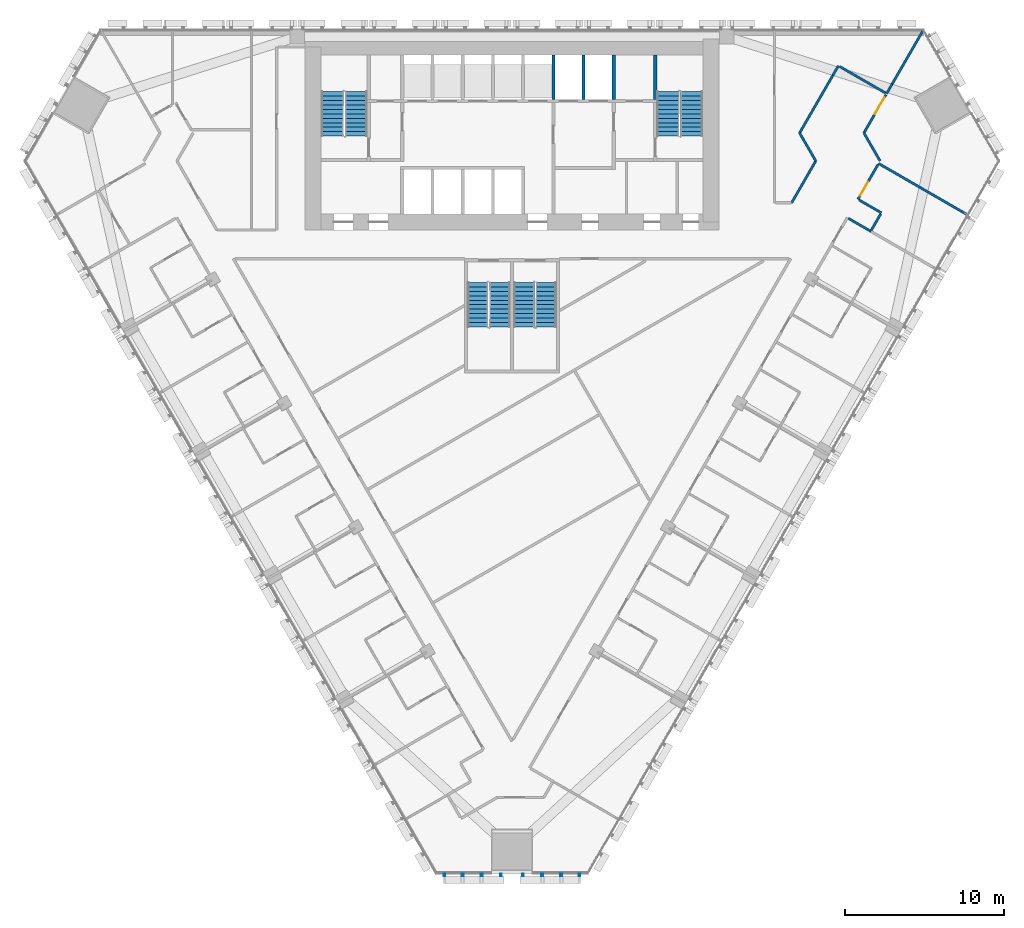
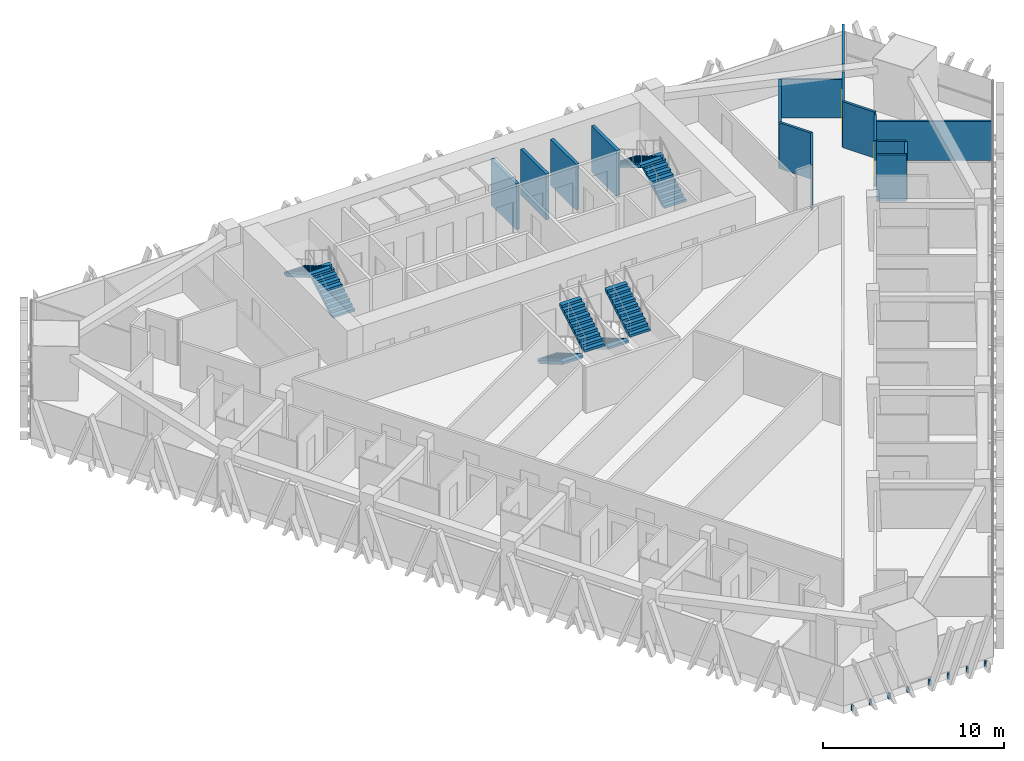
# One storey, part 14 of 18: 18 walls, 8 stair flights, 2 doors, 1 discrete accessory, 2 openings, 4 elements without a shape of their own.
"""IFC4 building model written with IfcOpenShell, lengths in metres."""

import ifcopenshell
import ifcopenshell.guid

model = None  # the IFC model being written
_history = None  # IfcOwnerHistory: only IFC2X3 demands one
_inside = {}  # id of a spatial element -> (the spatial element, [elements in it])
_under = {}  # id of a project, library or spatial element -> (it, [spatial elements below it])
_declared = {}  # id of a project -> (the project, [libraries it declares])
_typed = {}  # id of a type object -> (the type object, [elements of that type])
_made_of = {}  # id of a material, layer set ... -> (it, [elements and type objects made of it])


def new_model(schema):
    """Start an empty IFC model of exactly this schema.

    Asked for "IFC4X3", IfcOpenShell would pick the latest addendum, in which some entities
    have other attributes; the version numbers below select the first issue.
    IFC2X3 requires an IfcOwnerHistory on every rooted entity: one is made here for all.
    """
    global model, _history
    if schema == "IFC4X3":
        model = ifcopenshell.file(schema_version=(4, 3, 0, 0))
    else:
        model = ifcopenshell.file(schema=schema)
    _inside.clear()
    _under.clear()
    _declared.clear()
    _typed.clear()
    _made_of.clear()
    _history = None
    if model.schema == "IFC2X3":
        org = make("IfcOrganization", Name="unknown")
        user = make(
            "IfcPersonAndOrganization",
            ThePerson=make("IfcPerson", FamilyName="unknown"),
            TheOrganization=org,
        )
        app = make(
            "IfcApplication",
            ApplicationDeveloper=org,
            Version="unknown",
            ApplicationFullName="unknown",
            ApplicationIdentifier="unknown",
        )
        _history = make(
            "IfcOwnerHistory",
            OwningUser=user,
            OwningApplication=app,
            ChangeAction="ADDED",
            CreationDate=0,
        )
    return model


def make(cls, **values):
    """One entity of the class cls with the attributes given. An attribute that is None is left unset."""
    return model.create_entity(
        cls, **{name: value for name, value in values.items() if value is not None}
    )


def rooted(cls, **values):
    """An entity with a GlobalId (a new one), such as an element, a storey or a relation."""
    return make(cls, GlobalId=ifcopenshell.guid.new(), OwnerHistory=_history, **values)


def si_unit(unit_type, name, prefix=None):
    """IfcSIUnit, for example si_unit("LENGTHUNIT", "METRE", prefix="MILLI")."""
    return make("IfcSIUnit", UnitType=unit_type, Prefix=prefix, Name=name)


def assignment(units):
    """IfcUnitAssignment: the units of a project."""
    return None if units is None else make("IfcUnitAssignment", Units=units)


def point(xyz):
    """IfcCartesianPoint."""
    return None if xyz is None else make("IfcCartesianPoint", Coordinates=xyz)


def direction(xyz):
    """IfcDirection."""
    return None if xyz is None else make("IfcDirection", DirectionRatios=xyz)


def frame(location, z_axis=None, x_axis=None):
    """IfcAxis2Placement3D, a coordinate frame: its origin and axes. An axis left out is left unset."""
    return make(
        "IfcAxis2Placement3D",
        Location=point(location),
        Axis=direction(z_axis),
        RefDirection=direction(x_axis),
    )


def frame_2d(location, x_axis=None):
    """IfcAxis2Placement2D, a coordinate frame in the plane: its origin and x axis."""
    return make(
        "IfcAxis2Placement2D", Location=point(location), RefDirection=direction(x_axis)
    )


def origin():
    """The frame at (0, 0, 0) with its axes left unset."""
    return frame((0.0, 0.0, 0.0))


def place(relative_to, where):
    """IfcLocalPlacement: puts the frame where relative to a parent placement (None: the world)."""
    return make(
        "IfcLocalPlacement", PlacementRelTo=relative_to, RelativePlacement=where
    )


def context(
    kind, dimensions, precision=None, world=None, true_north=None, identifier=None
):
    """IfcGeometricRepresentationContext, for example the 3D "Model" context."""
    return make(
        "IfcGeometricRepresentationContext",
        ContextIdentifier=identifier,
        ContextType=kind,
        CoordinateSpaceDimension=dimensions,
        Precision=precision,
        WorldCoordinateSystem=world,
        TrueNorth=true_north,
    )


def subcontext(parent, identifier, kind, view, scale=None):
    """IfcGeometricRepresentationSubContext, for example "Body" below "Model"."""
    return make(
        "IfcGeometricRepresentationSubContext",
        ContextIdentifier=identifier,
        ContextType=kind,
        ParentContext=parent,
        TargetScale=scale,
        TargetView=view,
    )


def project(units=None, contexts=None):
    """IfcProject with its units and contexts."""
    return rooted(
        "IfcProject",
        Name="project",
        RepresentationContexts=contexts,
        UnitsInContext=assignment(units),
    )


def spatial(cls, under=None, at=None, **own):
    """A site, building, storey or space (cls), placed at a placement, below another one or the project."""
    s = rooted(cls, ObjectPlacement=at, **own)
    if under is not None:
        _under.setdefault(under.id(), (under, []))[1].append(s)
    return s


def polyline(points):
    """IfcPolyline through the points."""
    return make("IfcPolyline", Points=[point(p) for p in points])


def profile(cls, at=None, kind="AREA", **sizes):
    """A parametric profile (cls). Its sizes go by their IFC names, for example OverallWidth=200.0."""
    return make(cls, ProfileType=kind, Position=at, **sizes)


def rectangle(**sizes):
    """IfcRectangleProfileDef."""
    return profile("IfcRectangleProfileDef", **sizes)


def outline(outer, holes=None, kind="AREA"):
    """IfcArbitraryClosedProfileDef: a profile drawn as a closed curve; with holes, ...WithVoids."""
    if holes is None:
        return make("IfcArbitraryClosedProfileDef", ProfileType=kind, OuterCurve=outer)
    return make(
        "IfcArbitraryProfileDefWithVoids",
        ProfileType=kind,
        OuterCurve=outer,
        InnerCurves=holes,
    )


def extrude(swept, where, along, depth):
    """IfcExtrudedAreaSolid: the profile swept, set in the frame where, extruded along a direction by depth."""
    return make(
        "IfcExtrudedAreaSolid",
        SweptArea=swept,
        Position=where,
        ExtrudedDirection=direction(along),
        Depth=depth,
    )


def shape(context_of_items, identifier, shape_type, items):
    """IfcShapeRepresentation: the items that make up one representation, for example the "Body"."""
    return make(
        "IfcShapeRepresentation",
        ContextOfItems=context_of_items,
        RepresentationIdentifier=identifier,
        RepresentationType=shape_type,
        Items=items,
    )


def source(mapping_origin, context_of_items, identifier, shape_type, items):
    """IfcRepresentationMap: a shape defined once, which mapped items show again and again."""
    return make(
        "IfcRepresentationMap",
        MappingOrigin=mapping_origin,
        MappedRepresentation=shape(context_of_items, identifier, shape_type, items),
    )


def transform(
    local_origin,
    x_axis=None,
    y_axis=None,
    z_axis=None,
    scale=None,
    scale2=None,
    scale3=None,
    uniform=True,
):
    """IfcCartesianTransformationOperator3D, or its non-uniform kind. x_axis, y_axis, z_axis: its Axis1, 2, 3."""
    if uniform:
        return make(
            "IfcCartesianTransformationOperator3D",
            Axis1=direction(x_axis),
            Axis2=direction(y_axis),
            LocalOrigin=point(local_origin),
            Scale=scale,
            Axis3=direction(z_axis),
        )
    return make(
        "IfcCartesianTransformationOperator3DnonUniform",
        Axis1=direction(x_axis),
        Axis2=direction(y_axis),
        LocalOrigin=point(local_origin),
        Scale=scale,
        Axis3=direction(z_axis),
        Scale2=scale2,
        Scale3=scale3,
    )


def mapped(mapping_source, mapping_target):
    """IfcMappedItem: shows the shape of a source again, moved by a transform."""
    return make(
        "IfcMappedItem", MappingSource=mapping_source, MappingTarget=mapping_target
    )


def material(Name=None, Category=None):
    """IfcMaterial."""
    return make("IfcMaterial", Name=Name, Category=Category)


def layer(
    of_material, thickness, ventilated=None, Name=None, Category=None, Priority=None
):
    """IfcMaterialLayer: one layer of a wall or slab, of a material (None: an air gap)."""
    return make(
        "IfcMaterialLayer",
        Material=of_material,
        LayerThickness=thickness,
        IsVentilated=ventilated,
        Name=Name,
        Category=Category,
        Priority=Priority,
    )


def layer_set(layers, Name=None):
    """IfcMaterialLayerSet."""
    return make("IfcMaterialLayerSet", MaterialLayers=layers, LayerSetName=Name)


def made_of(thing, what):
    """Note that an element or type object is made of a material, layer set ...; save() writes the relation."""
    if what is not None:
        _made_of.setdefault(what.id(), (what, []))[1].append(thing)
    return thing


def type_object(cls, material=None, **own):
    """A type object (cls), such as IfcWallType, which elements share."""
    return made_of(rooted(cls, **own), material)


def element(
    cls,
    number,
    at=None,
    inside=None,
    cuts=None,
    type_object=None,
    material=None,
    context=None,
    identifier="Body",
    shape_type=None,
    held_by="IfcProductDefinitionShape",
    body=None,
    shapes=None,
    **own,
):
    """One element of the class cls, such as IfcWall. Its Tag is "e" and its number.

    at: its placement. inside: the storey or other place that contains it. cuts: it is an
    opening in that element (IfcRelVoidsElement). A single representation is given by context,
    identifier, shape_type and body (its items); several are given by shapes. held_by: the class
    of the entity that holds the representations. save() writes the other relations.
    """
    e = rooted(cls, Tag="e%d" % number, ObjectPlacement=at, **own)
    if body is not None:
        shapes = [shape(context, identifier, shape_type, body)]
    if shapes is not None:
        e.Representation = make(held_by, Representations=shapes)
    if inside is not None:
        _inside.setdefault(inside.id(), (inside, []))[1].append(e)
    if cuts is not None:
        rooted(
            "IfcRelVoidsElement", RelatingBuildingElement=cuts, RelatedOpeningElement=e
        )
    if type_object is not None:
        _typed.setdefault(type_object.id(), (type_object, []))[1].append(e)
    return made_of(e, material)


def fill(opening, filler):
    """IfcRelFillsElement: the door or window that sits in an opening."""
    return rooted(
        "IfcRelFillsElement",
        RelatingOpeningElement=opening,
        RelatedBuildingElement=filler,
    )


def aggregate(whole, parts):
    """IfcRelAggregates: a whole, such as a stair, and the parts it consists of."""
    return rooted("IfcRelAggregates", RelatingObject=whole, RelatedObjects=parts)


def save(model, path):
    """Write the relations noted so far, then the file.

    IfcRelAggregates (storeys below a building ...), IfcRelContainedInSpatialStructure (elements
    in a storey), IfcRelDefinesByType, IfcRelAssociatesMaterial and IfcRelDeclares: one each for
    every whole, place, type object, material and project.
    """
    for whole, parts in _under.values():
        aggregate(whole, parts)
    for where, things in _inside.values():
        rooted(
            "IfcRelContainedInSpatialStructure",
            RelatedElements=things,
            RelatingStructure=where,
        )
    for kind, things in _typed.values():
        rooted("IfcRelDefinesByType", RelatedObjects=things, RelatingType=kind)
    for what, things in _made_of.values():
        rooted("IfcRelAssociatesMaterial", RelatedObjects=things, RelatingMaterial=what)
    for by, libraries in _declared.values():
        rooted("IfcRelDeclares", RelatingContext=by, RelatedDefinitions=libraries)
    model.write(path)


model = new_model("IFC4")

# Units and contexts
model_context = context("Model", 3, precision=1e-05, world=origin(), true_north=direction((0.0, 1.0)))
body_context = subcontext(model_context, "Body", "Model", "MODEL_VIEW")
ifc_project = project(units=[si_unit("LENGTHUNIT", "METRE"), si_unit("AREAUNIT", "SQUARE_METRE"), si_unit("VOLUMEUNIT", "CUBIC_METRE"), si_unit("PLANEANGLEUNIT", "RADIAN"), si_unit("MASSUNIT", "GRAM", prefix="KILO")], contexts=[model_context])

# Site, building, storey
site_placement = place(None, origin())
site = spatial("IfcSite", under=ifc_project, at=site_placement, CompositionType="ELEMENT")
building_placement = place(site_placement, origin())
building = spatial("IfcBuilding", under=site, at=building_placement, Name="Altiplano Prism Tower", CompositionType="ELEMENT")
storey_placement = place(building_placement, frame((0.0, 0.0, 48.60009765625)))
storey = spatial("IfcBuildingStorey", under=building, at=storey_placement, Name="L11", CompositionType="ELEMENT", Elevation=48.60009765625)

# Walls
ifc_material_1 = material(Name="Plasterboard on steel stud", Category="steel")
ifc_layer_1 = layer(ifc_material_1, 0.14990234375)
ifc_layer_set_1 = layer_set([ifc_layer_1], Name="Plasterboard on steel stud")
wall_type_1 = type_object("IfcWallType", Name="Partition 150 corridor", PredefinedType="PARTITIONING", material=ifc_layer_set_1)
wall_1_placement = place(storey_placement, frame((106.142333984375, 93.13232421875, 0.0), z_axis=(0.0, 0.0, 1.0), x_axis=(0.866015045157, -0.50001794124, 0.0)))
element("IfcWall", 1, at=wall_1_placement, inside=storey, type_object=wall_type_1, Name="Partition P06 L11 027", PredefinedType="PARTITIONING", context=body_context, shape_type="SweptSolid", body=[
    extrude(rectangle(XDim=1.64501953125, YDim=0.14990234375, at=frame_2d((0.822509765625, 0.0))), origin(), (0.0, 0.0, 1.0), 3.099853515625),
])
wall_2_placement = place(storey_placement, frame((107.587158203125, 92.384765625, 0.0), z_axis=(0.0, 0.0, 1.0), x_axis=(0.500030943131, 0.866007538022, 0.0)))
element("IfcWall", 2, at=wall_2_placement, inside=storey, type_object=wall_type_1, Name="Partition P06 L11 028", PredefinedType="PARTITIONING", context=body_context, shape_type="SweptSolid", body=[
    extrude(rectangle(XDim=1.1875, YDim=0.14990234375, at=frame_2d((0.59375, 0.0))), origin(), (0.0, 0.0, 1.0), 3.099853515625),
])
wall_3_placement = place(storey_placement, frame((108.218505859375, 93.47802734375, 0.0), z_axis=(0.0, 0.0, 1.0), x_axis=(-0.866053003207, 0.499952193351, 0.0)))
element("IfcWall", 3, at=wall_3_placement, inside=storey, type_object=wall_type_1, Name="Partition P06 L11 029", PredefinedType="PARTITIONING", context=body_context, shape_type="SweptSolid", body=[
    extrude(rectangle(XDim=1.625244140625, YDim=0.14990234375, at=frame_2d((0.8125, 0.0))), origin(), (0.0, 0.0, 1.0), 3.099853515625),
])

# Wall, opening, door
wall_4_placement = place(storey_placement, frame((106.74609375, 94.328125, 0.0), z_axis=(0.0, 0.0, 1.0), x_axis=(0.500090717682, 0.865973021571, 0.0)))
wall_4 = element("IfcWall", 4, at=wall_4_placement, inside=storey, type_object=wall_type_1, Name="Partition P06 L11 030", PredefinedType="PARTITIONING", context=body_context, shape_type="SweptSolid", body=[
    extrude(rectangle(XDim=2.52490234375, YDim=0.14990234375, at=frame_2d((1.262451171875, 0.0))), origin(), (0.0, 0.0, 1.0), 3.099853515625),
])
opening_1_placement = place(wall_4_placement, frame((0.258056640625, 0.0, 0.0)))
opening_1 = element("IfcOpeningElement", 5, at=opening_1_placement, cuts=wall_4, Name="Opening D0461", PredefinedType="OPENING", context=body_context, shape_type="SweptSolid", body=[
    extrude(rectangle(XDim=1.0, YDim=2.10009765625, at=frame_2d((0.5, 1.050048828125))), frame((0.0, 0.08544921875, 0.0), z_axis=(0.0, -1.0, 0.0), x_axis=(1.0, 0.0, 0.0)), (0.0, 0.0, 1.0), 0.1708984375),
])
ifc_material_2 = material(Name="Timber", Category="wood")
door_type_1 = type_object("IfcDoorType", Name="Room door 1000 x 2100", OperationType="NOTDEFINED", PredefinedType="NOTDEFINED", material=ifc_material_2)
door_1_placement = place(opening_1_placement, origin())
door_1 = element("IfcDoor", 6, at=door_1_placement, inside=storey, type_object=door_type_1, Name="Door D0461", OperationType="SINGLE_SWING_LEFT", OverallHeight=2.10009765625, OverallWidth=1.0, PredefinedType="NOTDEFINED", context=body_context, shape_type="SweptSolid", body=[
    extrude(rectangle(XDim=1.0, YDim=2.10009765625, at=frame_2d((0.5, 1.050048828125))), frame((0.0, 0.02490234375, 0.0), z_axis=(0.0, -1.0, 0.0), x_axis=(1.0, 0.0, 0.0)), (0.0, 0.0, 1.0), 0.050048828125),
])
fill(opening_1, door_1)

# Wall
wall_5_placement = place(storey_placement, frame((108.138671875, 96.73974609375, 0.0), z_axis=(0.0, 0.0, 1.0), x_axis=(-0.50002743572, 0.866009563185, 0.0)))
element("IfcWall", 7, at=wall_5_placement, inside=storey, type_object=wall_type_1, Name="Partition P06 L11 031", PredefinedType="PARTITIONING", context=body_context, shape_type="SweptSolid", body=[
    extrude(rectangle(XDim=2.03271484375, YDim=0.14990234375, at=frame_2d((1.016357421875, 0.0))), origin(), (0.0, 0.0, 1.0), 3.099853515625),
])

# Wall, opening, door
wall_6_placement = place(storey_placement, frame((107.122314453125, 98.5, 0.0), z_axis=(0.0, 0.0, 1.0), x_axis=(0.499955621637, 0.866051024128, 0.0)))
wall_6 = element("IfcWall", 8, at=wall_6_placement, inside=storey, type_object=wall_type_1, Name="Partition P06 L11 032", PredefinedType="PARTITIONING", context=body_context, shape_type="SweptSolid", body=[
    extrude(rectangle(XDim=2.779541015625, YDim=0.14990234375, at=frame_2d((1.3896484375, 0.0))), origin(), (0.0, 0.0, 1.0), 3.099853515625),
])
opening_2_placement = place(wall_6_placement, frame((1.3798828125, 0.0, 0.0)))
opening_2 = element("IfcOpeningElement", 9, at=opening_2_placement, cuts=wall_6, Name="Opening D0462", PredefinedType="OPENING", context=body_context, shape_type="SweptSolid", body=[
    extrude(rectangle(XDim=1.199951171875, YDim=2.10009765625, at=frame_2d((0.60009765625, 1.050048828125))), frame((0.0, 0.08544921875, 0.0), z_axis=(0.0, -1.0, 0.0), x_axis=(1.0, 0.0, 0.0)), (0.0, 0.0, 1.0), 0.1708984375),
])
door_type_2 = type_object("IfcDoorType", Name="Shared room door 1200 x 2100", OperationType="NOTDEFINED", PredefinedType="NOTDEFINED", material=ifc_material_2)
door_2_placement = place(opening_2_placement, origin())
door_2 = element("IfcDoor", 10, at=door_2_placement, inside=storey, type_object=door_type_2, Name="Door D0462", OperationType="SINGLE_SWING_LEFT", OverallHeight=2.10009765625, OverallWidth=1.199951171875, PredefinedType="NOTDEFINED", context=body_context, shape_type="SweptSolid", body=[
    extrude(rectangle(XDim=1.199951171875, YDim=2.10009765625, at=frame_2d((0.60009765625, 1.050048828125))), frame((0.0, 0.02490234375, 0.0), z_axis=(0.0, -1.0, 0.0), x_axis=(1.0, 0.0, 0.0)), (0.0, 0.0, 1.0), 0.050048828125),
])
fill(opening_2, door_2)

# Walls
wall_7_placement = place(storey_placement, frame((108.484619140625, 101.009765625, 0.0), z_axis=(0.0, 0.0, 1.0), x_axis=(-0.866014461049, 0.500018952895, 0.0)))
element("IfcWall", 11, at=wall_7_placement, inside=storey, type_object=wall_type_1, Name="Partition P06 L11 033", PredefinedType="PARTITIONING", context=body_context, shape_type="SweptSolid", body=[
    extrude(rectangle(XDim=3.349853515625, YDim=0.14990234375, at=frame_2d((1.6748046875, 0.0))), origin(), (0.0, 0.0, 1.0), 2.599853515625),
])
wall_8_placement = place(storey_placement, frame((105.5185546875, 102.72216796875, 0.0), z_axis=(0.0, 0.0, 1.0), x_axis=(-0.500085142133, -0.86597624137, 0.0)))
element("IfcWall", 12, at=wall_8_placement, inside=storey, type_object=wall_type_1, Name="Partition P06 L11 034", PredefinedType="PARTITIONING", context=body_context, shape_type="SweptSolid", body=[
    extrude(rectangle(XDim=0.718505859375, YDim=0.14990234375, at=frame_2d((0.359375, 0.0))), origin(), (0.0, 0.0, 1.0), 2.599853515625),
])
wall_9_placement = place(storey_placement, frame((105.1591796875, 102.099853515625, 0.0), z_axis=(0.0, 0.0, 1.0), x_axis=(-0.499998690864, -0.866026159613, 0.0)))
element("IfcWall", 13, at=wall_9_placement, inside=storey, type_object=wall_type_1, Name="Partition P06 L11 035", PredefinedType="PARTITIONING", context=body_context, shape_type="SweptSolid", body=[
    extrude(rectangle(XDim=4.15673828125, YDim=0.14990234375, at=frame_2d((2.078369140625, 0.0))), origin(), (0.0, 0.0, 1.0), 3.099853515625),
])
wall_10_placement = place(storey_placement, frame((103.080810546875, 98.5, 0.0), z_axis=(0.0, 0.0, 1.0), x_axis=(0.50002743572, -0.866009563185, 0.0)))
element("IfcWall", 14, at=wall_10_placement, inside=storey, type_object=wall_type_1, Name="Partition P06 L11 036", PredefinedType="PARTITIONING", context=body_context, shape_type="SweptSolid", body=[
    extrude(rectangle(XDim=2.03271484375, YDim=0.14990234375, at=frame_2d((1.016357421875, 0.0))), origin(), (0.0, 0.0, 1.0), 3.099853515625),
])
wall_11_placement = place(storey_placement, frame((104.09716796875, 96.73974609375, 0.0), z_axis=(0.0, 0.0, 1.0), x_axis=(-0.500041382571, -0.866001510228, 0.0)))
element("IfcWall", 15, at=wall_11_placement, inside=storey, type_object=wall_type_1, Name="Partition P06 L11 037", PredefinedType="PARTITIONING", context=body_context, shape_type="SweptSolid", body=[
    extrude(rectangle(XDim=3.048095703125, YDim=0.14990234375, at=frame_2d((1.52392578125, 0.0))), origin(), (0.0, 0.0, 1.0), 3.099853515625),
])
ifc_layer_2 = layer(ifc_material_1, 0.14990234375)
ifc_layer_set_2 = layer_set([ifc_layer_2], Name="Plasterboard on steel stud")
wall_type_2 = type_object("IfcWallType", Name="Partition 150 party", PredefinedType="PARTITIONING", material=ifc_layer_set_2)
wall_12_placement = place(storey_placement, frame((113.606201171875, 93.36962890625, 0.0), z_axis=(0.0, 0.0, 1.0), x_axis=(-0.866034872269, 0.499983599745, 0.0)))
element("IfcWall", 16, at=wall_12_placement, inside=storey, type_object=wall_type_2, Name="Partition P01 L11 103", PredefinedType="PARTITIONING", context=body_context, shape_type="SweptSolid", body=[
    extrude(rectangle(XDim=6.420166015625, YDim=0.14990234375, at=frame_2d((3.2099609375, 0.0))), origin(), (0.0, 0.0, 1.0), 2.599853515625),
])
wall_13_placement = place(storey_placement, frame((110.8173828125, 104.89990234375, 0.0), z_axis=(0.0, 0.0, 1.0), x_axis=(-0.500025904202, -0.86601044747, 0.0)))
element("IfcWall", 17, at=wall_13_placement, inside=storey, type_object=wall_type_2, Name="Partition P01 L11 104", PredefinedType="PARTITIONING", context=body_context, shape_type="SweptSolid", body=[
    extrude(rectangle(XDim=3.830322265625, YDim=0.14990234375, at=frame_2d((1.9150390625, 0.0))), origin(), (0.0, 0.0, 1.0), 3.099853515625),
])
wall_14_placement = place(storey_placement, frame((108.902099609375, 101.582763671875, 0.0), z_axis=(0.0, 0.0, 1.0), x_axis=(-0.500012199891, -0.86601836006, 0.0)))
element("IfcWall", 18, at=wall_14_placement, inside=storey, type_object=wall_type_2, Name="Partition P01 L11 105", PredefinedType="PARTITIONING", context=body_context, shape_type="SweptSolid", body=[
    extrude(rectangle(XDim=0.705078125, YDim=0.14990234375, at=frame_2d((0.3525390625, 0.0))), origin(), (0.0, 0.0, 1.0), 2.599853515625),
])
ifc_material_3 = material(Name="Concrete C60/75", Category="concrete")
ifc_layer_3 = layer(ifc_material_3, 0.199951171875)
ifc_layer_set_3 = layer_set([ifc_layer_3], Name="Concrete C60/75")
wall_type_3 = type_object("IfcWallType", Name="Shaft wall 200", PredefinedType="SOLIDWALL", material=ifc_layer_set_3)
for number, where, z_axis, x_axis, name in (
    (19, (87.60009765625, 100.60009765625, 0.0), (0.0, 0.0, 1.0), (0.0, 1.0, 0.0), "Shaft wall L11"),
    (20, (89.5, 100.60009765625, 0.0), (0.0, 0.0, 1.0), (0.0, 1.0, 0.0), "Shaft wall L11"),
    (21, (91.39990234375, 100.60009765625, 0.0), (0.0, 0.0, 1.0), (0.0, 1.0, 0.0), "Shaft wall L11"),
):
    element("IfcWall", number, at=place(storey_placement, frame(where, z_axis=z_axis, x_axis=x_axis)), inside=storey, type_object=wall_type_3, Name=name, PredefinedType="SOLIDWALL", context=body_context, shape_type="SweptSolid", body=[
        extrude(rectangle(XDim=2.7998046875, YDim=0.199951171875, at=frame_2d((1.39990234375, 0.0))), origin(), (0.0, 0.0, 1.0), 3.099853515625),
    ])
ifc_layer_4 = layer(ifc_material_3, 0.199951171875)
ifc_layer_set_4 = layer_set([ifc_layer_4], Name="Concrete C60/75")
wall_type_4 = type_object("IfcWallType", Name="Stair wall 200", PredefinedType="SOLIDWALL", material=ifc_layer_set_4)
wall_15_placement = place(storey_placement, frame((94.0, 100.60009765625, 0.0), z_axis=(0.0, 0.0, 1.0), x_axis=(0.0, 1.0, 0.0)))
element("IfcWall", 22, at=wall_15_placement, inside=storey, type_object=wall_type_4, Name="Stair wall L11", PredefinedType="SOLIDWALL", context=body_context, shape_type="SweptSolid", body=[
    extrude(rectangle(XDim=2.7998046875, YDim=0.199951171875, at=frame_2d((1.39990234375, 0.0))), origin(), (0.0, 0.0, 1.0), 3.099853515625),
])

# Stair, stair flights
ifc_material_4 = material(Name="Concrete C40/50", Category="concrete")
stair_type_1 = type_object("IfcStairType", Name="Exit stair 1400", PredefinedType="HALF_TURN_STAIR", material=ifc_material_4)
stair_1_placement = place(storey_placement, origin())
stair_1 = element("IfcStair", 23, at=stair_1_placement, inside=storey, type_object=stair_type_1, Name="L11 Exit Stair 1", PredefinedType="HALF_TURN_STAIR")
stair_flight_type = type_object("IfcStairFlightType", Name="Stair flight concrete 150", PredefinedType="STRAIGHT", material=ifc_material_4)
stair_flight_1_placement = place(storey_placement, frame((75.199951171875, 98.300048828125, 0.0), z_axis=(0.0, 0.0, 1.0), x_axis=(0.0, 1.0, 0.0)))
stair_flight_1 = element("IfcStairFlight", 24, at=stair_flight_1_placement, type_object=stair_flight_type, Name="ST1 flight 1", NumberOfRisers=11, NumberOfTreads=10, PredefinedType="STRAIGHT", RiserHeight=0.163636364, TreadLength=0.28, context=body_context, shape_type="SweptSolid", body=[
    extrude(outline(polyline([(0.0, 0.0), (0.0, 0.16357421875), (0.280029296875, 0.16357421875), (0.280029296875, 0.327392578125), (0.56005859375, 0.327392578125), (0.56005859375, 0.490966796875), (0.840087890625, 0.490966796875), (0.840087890625, 0.654541015625), (1.1201171875, 0.654541015625), (1.1201171875, 0.818115234375), (1.39990234375, 0.818115234375), (1.39990234375, 0.98193359375), (1.679931640625, 0.98193359375), (1.679931640625, 1.1455078125), (1.9599609375, 1.1455078125), (1.9599609375, 1.30908203125), (2.239990234375, 1.30908203125), (2.239990234375, 1.47265625), (2.52001953125, 1.47265625), (2.52001953125, 1.636474609375), (2.800048828125, 1.636474609375), (2.800048828125, 1.800048828125), (2.800048828125, 1.462646484375), (0.297119140625, 0.0), (0.0, 0.0)])), frame((0.0, 0.699951171875, 0.0), z_axis=(0.0, -1.0, 0.0), x_axis=(1.0, 0.0, 0.0)), (0.0, 0.0, 1.0), 1.39990234375),
])
stair_flight_2_placement = place(storey_placement, frame((73.699951171875, 101.10009765625, 1.7998046875), z_axis=(0.0, 0.0, 1.0), x_axis=(0.0, -1.0, 0.0)))
stair_flight_2 = element("IfcStairFlight", 25, at=stair_flight_2_placement, type_object=stair_flight_type, Name="ST1 flight 2", NumberOfRisers=11, NumberOfTreads=10, PredefinedType="STRAIGHT", RiserHeight=0.163636364, TreadLength=0.28, context=body_context, shape_type="SweptSolid", body=[
    extrude(outline(polyline([(0.0, 0.0), (0.0, 0.16357421875), (0.280029296875, 0.16357421875), (0.280029296875, 0.327392578125), (0.56005859375, 0.327392578125), (0.56005859375, 0.490966796875), (0.840087890625, 0.490966796875), (0.840087890625, 0.654541015625), (1.1201171875, 0.654541015625), (1.1201171875, 0.818115234375), (1.39990234375, 0.818115234375), (1.39990234375, 0.98193359375), (1.679931640625, 0.98193359375), (1.679931640625, 1.1455078125), (1.9599609375, 1.1455078125), (1.9599609375, 1.30908203125), (2.239990234375, 1.30908203125), (2.239990234375, 1.47265625), (2.52001953125, 1.47265625), (2.52001953125, 1.636474609375), (2.800048828125, 1.636474609375), (2.800048828125, 1.800048828125), (2.800048828125, 1.462646484375), (0.297119140625, 0.0), (0.0, 0.0)])), frame((0.0, 0.699951171875, 0.0), z_axis=(0.0, -1.0, 0.0), x_axis=(1.0, 0.0, 0.0)), (0.0, 0.0, 1.0), 1.39990234375),
])
aggregate(stair_1, [stair_flight_1, stair_flight_2])

stair_2_placement = place(storey_placement, origin())
stair_2 = element("IfcStair", 26, at=stair_2_placement, inside=storey, type_object=stair_type_1, Name="L11 Exit Stair 2", PredefinedType="HALF_TURN_STAIR")
stair_flight_3_placement = place(storey_placement, frame((96.300048828125, 98.300048828125, 0.0), z_axis=(0.0, 0.0, 1.0), x_axis=(0.0, 1.0, 0.0)))
stair_flight_3 = element("IfcStairFlight", 27, at=stair_flight_3_placement, type_object=stair_flight_type, Name="ST2 flight 1", NumberOfRisers=11, NumberOfTreads=10, PredefinedType="STRAIGHT", RiserHeight=0.163636364, TreadLength=0.28, context=body_context, shape_type="SweptSolid", body=[
    extrude(outline(polyline([(0.0, 0.0), (0.0, 0.16357421875), (0.280029296875, 0.16357421875), (0.280029296875, 0.327392578125), (0.56005859375, 0.327392578125), (0.56005859375, 0.490966796875), (0.840087890625, 0.490966796875), (0.840087890625, 0.654541015625), (1.1201171875, 0.654541015625), (1.1201171875, 0.818115234375), (1.39990234375, 0.818115234375), (1.39990234375, 0.98193359375), (1.679931640625, 0.98193359375), (1.679931640625, 1.1455078125), (1.9599609375, 1.1455078125), (1.9599609375, 1.30908203125), (2.239990234375, 1.30908203125), (2.239990234375, 1.47265625), (2.52001953125, 1.47265625), (2.52001953125, 1.636474609375), (2.800048828125, 1.636474609375), (2.800048828125, 1.800048828125), (2.800048828125, 1.462646484375), (0.297119140625, 0.0), (0.0, 0.0)])), frame((0.0, 0.699951171875, 0.0), z_axis=(0.0, -1.0, 0.0), x_axis=(1.0, 0.0, 0.0)), (0.0, 0.0, 1.0), 1.39990234375),
])
stair_flight_4_placement = place(storey_placement, frame((94.800048828125, 101.10009765625, 1.7998046875), z_axis=(0.0, 0.0, 1.0), x_axis=(0.0, -1.0, 0.0)))
stair_flight_4 = element("IfcStairFlight", 28, at=stair_flight_4_placement, type_object=stair_flight_type, Name="ST2 flight 2", NumberOfRisers=11, NumberOfTreads=10, PredefinedType="STRAIGHT", RiserHeight=0.163636364, TreadLength=0.28, context=body_context, shape_type="SweptSolid", body=[
    extrude(outline(polyline([(0.0, 0.0), (0.0, 0.16357421875), (0.280029296875, 0.16357421875), (0.280029296875, 0.327392578125), (0.56005859375, 0.327392578125), (0.56005859375, 0.490966796875), (0.840087890625, 0.490966796875), (0.840087890625, 0.654541015625), (1.1201171875, 0.654541015625), (1.1201171875, 0.818115234375), (1.39990234375, 0.818115234375), (1.39990234375, 0.98193359375), (1.679931640625, 0.98193359375), (1.679931640625, 1.1455078125), (1.9599609375, 1.1455078125), (1.9599609375, 1.30908203125), (2.239990234375, 1.30908203125), (2.239990234375, 1.47265625), (2.52001953125, 1.47265625), (2.52001953125, 1.636474609375), (2.800048828125, 1.636474609375), (2.800048828125, 1.800048828125), (2.800048828125, 1.462646484375), (0.297119140625, 0.0), (0.0, 0.0)])), frame((0.0, 0.699951171875, 0.0), z_axis=(0.0, -1.0, 0.0), x_axis=(1.0, 0.0, 0.0)), (0.0, 0.0, 1.0), 1.39990234375),
])
aggregate(stair_2, [stair_flight_3, stair_flight_4])

stair_type_2 = type_object("IfcStairType", Name="Exit stair 1300", PredefinedType="HALF_TURN_STAIR", material=ifc_material_4)
stair_3_placement = place(storey_placement, origin())
stair_3 = element("IfcStair", 29, at=stair_3_placement, inside=storey, type_object=stair_type_2, Name="L11 Exit Stair 3A", PredefinedType="HALF_TURN_STAIR")
stair_flight_5_placement = place(storey_placement, frame((82.85009765625, 89.10009765625, 0.0), z_axis=(0.0, 0.0, 1.0), x_axis=(0.0, -1.0, 0.0)))
stair_flight_5 = element("IfcStairFlight", 30, at=stair_flight_5_placement, type_object=stair_flight_type, Name="ST3A flight 1", NumberOfRisers=11, NumberOfTreads=10, PredefinedType="STRAIGHT", RiserHeight=0.163636364, TreadLength=0.28, context=body_context, shape_type="SweptSolid", body=[
    extrude(outline(polyline([(0.0, 0.0), (0.0, 0.16357421875), (0.280029296875, 0.16357421875), (0.280029296875, 0.327392578125), (0.56005859375, 0.327392578125), (0.56005859375, 0.490966796875), (0.840087890625, 0.490966796875), (0.840087890625, 0.654541015625), (1.1201171875, 0.654541015625), (1.1201171875, 0.818115234375), (1.39990234375, 0.818115234375), (1.39990234375, 0.98193359375), (1.679931640625, 0.98193359375), (1.679931640625, 1.1455078125), (1.9599609375, 1.1455078125), (1.9599609375, 1.30908203125), (2.239990234375, 1.30908203125), (2.239990234375, 1.47265625), (2.52001953125, 1.47265625), (2.52001953125, 1.636474609375), (2.800048828125, 1.636474609375), (2.800048828125, 1.800048828125), (2.800048828125, 1.462646484375), (0.297119140625, 0.0), (0.0, 0.0)])), frame((0.0, 0.64990234375, 0.0), z_axis=(0.0, -1.0, 0.0), x_axis=(1.0, 0.0, 0.0)), (0.0, 0.0, 1.0), 1.300048828125),
])
stair_flight_6_placement = place(storey_placement, frame((84.25, 86.300048828125, 1.7998046875), z_axis=(0.0, 0.0, 1.0), x_axis=(0.0, 1.0, 0.0)))
stair_flight_6 = element("IfcStairFlight", 31, at=stair_flight_6_placement, type_object=stair_flight_type, Name="ST3A flight 2", NumberOfRisers=11, NumberOfTreads=10, PredefinedType="STRAIGHT", RiserHeight=0.163636364, TreadLength=0.28, context=body_context, shape_type="SweptSolid", body=[
    extrude(outline(polyline([(0.0, 0.0), (0.0, 0.16357421875), (0.280029296875, 0.16357421875), (0.280029296875, 0.327392578125), (0.56005859375, 0.327392578125), (0.56005859375, 0.490966796875), (0.840087890625, 0.490966796875), (0.840087890625, 0.654541015625), (1.1201171875, 0.654541015625), (1.1201171875, 0.818115234375), (1.39990234375, 0.818115234375), (1.39990234375, 0.98193359375), (1.679931640625, 0.98193359375), (1.679931640625, 1.1455078125), (1.9599609375, 1.1455078125), (1.9599609375, 1.30908203125), (2.239990234375, 1.30908203125), (2.239990234375, 1.47265625), (2.52001953125, 1.47265625), (2.52001953125, 1.636474609375), (2.800048828125, 1.636474609375), (2.800048828125, 1.800048828125), (2.800048828125, 1.462646484375), (0.297119140625, 0.0), (0.0, 0.0)])), frame((0.0, 0.64990234375, 0.0), z_axis=(0.0, -1.0, 0.0), x_axis=(1.0, 0.0, 0.0)), (0.0, 0.0, 1.0), 1.300048828125),
])
aggregate(stair_3, [stair_flight_5, stair_flight_6])

stair_4_placement = place(storey_placement, origin())
stair_4 = element("IfcStair", 32, at=stair_4_placement, inside=storey, type_object=stair_type_2, Name="L11 Exit Stair 3B", PredefinedType="HALF_TURN_STAIR")
stair_flight_7_placement = place(storey_placement, frame((85.75, 89.10009765625, 0.0), z_axis=(0.0, 0.0, 1.0), x_axis=(0.0, -1.0, 0.0)))
stair_flight_7 = element("IfcStairFlight", 33, at=stair_flight_7_placement, type_object=stair_flight_type, Name="ST3B flight 1", NumberOfRisers=11, NumberOfTreads=10, PredefinedType="STRAIGHT", RiserHeight=0.163636364, TreadLength=0.28, context=body_context, shape_type="SweptSolid", body=[
    extrude(outline(polyline([(0.0, 0.0), (0.0, 0.16357421875), (0.280029296875, 0.16357421875), (0.280029296875, 0.327392578125), (0.56005859375, 0.327392578125), (0.56005859375, 0.490966796875), (0.840087890625, 0.490966796875), (0.840087890625, 0.654541015625), (1.1201171875, 0.654541015625), (1.1201171875, 0.818115234375), (1.39990234375, 0.818115234375), (1.39990234375, 0.98193359375), (1.679931640625, 0.98193359375), (1.679931640625, 1.1455078125), (1.9599609375, 1.1455078125), (1.9599609375, 1.30908203125), (2.239990234375, 1.30908203125), (2.239990234375, 1.47265625), (2.52001953125, 1.47265625), (2.52001953125, 1.636474609375), (2.800048828125, 1.636474609375), (2.800048828125, 1.800048828125), (2.800048828125, 1.462646484375), (0.297119140625, 0.0), (0.0, 0.0)])), frame((0.0, 0.64990234375, 0.0), z_axis=(0.0, -1.0, 0.0), x_axis=(1.0, 0.0, 0.0)), (0.0, 0.0, 1.0), 1.300048828125),
])
stair_flight_8_placement = place(storey_placement, frame((87.14990234375, 86.300048828125, 1.7998046875), z_axis=(0.0, 0.0, 1.0), x_axis=(0.0, 1.0, 0.0)))
stair_flight_8 = element("IfcStairFlight", 34, at=stair_flight_8_placement, type_object=stair_flight_type, Name="ST3B flight 2", NumberOfRisers=11, NumberOfTreads=10, PredefinedType="STRAIGHT", RiserHeight=0.163636364, TreadLength=0.28, context=body_context, shape_type="SweptSolid", body=[
    extrude(outline(polyline([(0.0, 0.0), (0.0, 0.16357421875), (0.280029296875, 0.16357421875), (0.280029296875, 0.327392578125), (0.56005859375, 0.327392578125), (0.56005859375, 0.490966796875), (0.840087890625, 0.490966796875), (0.840087890625, 0.654541015625), (1.1201171875, 0.654541015625), (1.1201171875, 0.818115234375), (1.39990234375, 0.818115234375), (1.39990234375, 0.98193359375), (1.679931640625, 0.98193359375), (1.679931640625, 1.1455078125), (1.9599609375, 1.1455078125), (1.9599609375, 1.30908203125), (2.239990234375, 1.30908203125), (2.239990234375, 1.47265625), (2.52001953125, 1.47265625), (2.52001953125, 1.636474609375), (2.800048828125, 1.636474609375), (2.800048828125, 1.800048828125), (2.800048828125, 1.462646484375), (0.297119140625, 0.0), (0.0, 0.0)])), frame((0.0, 0.64990234375, 0.0), z_axis=(0.0, -1.0, 0.0), x_axis=(1.0, 0.0, 0.0)), (0.0, 0.0, 1.0), 1.300048828125),
])
aggregate(stair_4, [stair_flight_7, stair_flight_8])

# Discrete accessory
ifc_material_5 = material(Name="Stainless steel", Category="steel")
discrete_accessory_type = type_object("IfcDiscreteAccessoryType", Name="Stone fin fixing prongs", PredefinedType="USERDEFINED", material=ifc_material_5)
shared_shape = source(origin(), body_context, "Body", "SweptSolid", [
    extrude(outline(polyline([(-3.15087890625, 0.06005859375), (-3.031005859375, 0.06005859375), (-3.031005859375, 0.43994140625), (-3.15087890625, 0.43994140625), (-3.15087890625, 0.06005859375)])), frame((0.0, 0.0, 0.0), z_axis=(0.0, -1.0, 0.0), x_axis=(1.0, 0.0, 0.0)), (0.0, 0.0, 1.0), 0.14990234375),
    extrude(outline(polyline([(-4.2900390625, 0.06005859375), (-4.200927734375, 0.06005859375), (-4.200927734375, 0.43994140625), (-4.2900390625, 0.43994140625), (-4.2900390625, 0.06005859375)])), frame((0.0, 0.0, 0.0), z_axis=(0.0, -1.0, 0.0), x_axis=(1.0, 0.0, 0.0)), (0.0, 0.0, 1.0), 0.14990234375),
    extrude(outline(polyline([(-1.950927734375, 0.06005859375), (-1.8310546875, 0.06005859375), (-1.8310546875, 0.43994140625), (-1.950927734375, 0.43994140625), (-1.950927734375, 0.06005859375)])), frame((0.0, 0.0, 0.0), z_axis=(0.0, -1.0, 0.0), x_axis=(1.0, 0.0, 0.0)), (0.0, 0.0, 1.0), 0.14990234375),
    extrude(outline(polyline([(-0.7509765625, 0.06005859375), (-0.631103515625, 0.06005859375), (-0.631103515625, 0.43994140625), (-0.7509765625, 0.43994140625), (-0.7509765625, 0.06005859375)])), frame((0.0, 0.0, 0.0), z_axis=(0.0, -1.0, 0.0), x_axis=(1.0, 0.0, 0.0)), (0.0, 0.0, 1.0), 0.14990234375),
    extrude(outline(polyline([(0.631103515625, 0.06005859375), (0.7509765625, 0.06005859375), (0.7509765625, 0.43994140625), (0.631103515625, 0.43994140625), (0.631103515625, 0.06005859375)])), frame((0.0, 0.0, 0.0), z_axis=(0.0, -1.0, 0.0), x_axis=(1.0, 0.0, 0.0)), (0.0, 0.0, 1.0), 0.14990234375),
    extrude(outline(polyline([(1.8310546875, 0.06005859375), (1.950927734375, 0.06005859375), (1.950927734375, 0.43994140625), (1.8310546875, 0.43994140625), (1.8310546875, 0.06005859375)])), frame((0.0, 0.0, 0.0), z_axis=(0.0, -1.0, 0.0), x_axis=(1.0, 0.0, 0.0)), (0.0, 0.0, 1.0), 0.14990234375),
    extrude(outline(polyline([(3.031005859375, 0.06005859375), (3.15087890625, 0.06005859375), (3.15087890625, 0.43994140625), (3.031005859375, 0.43994140625), (3.031005859375, 0.06005859375)])), frame((0.0, 0.0, 0.0), z_axis=(0.0, -1.0, 0.0), x_axis=(1.0, 0.0, 0.0)), (0.0, 0.0, 1.0), 0.14990234375),
    extrude(outline(polyline([(4.200927734375, 0.06005859375), (4.2900390625, 0.06005859375), (4.2900390625, 0.43994140625), (4.200927734375, 0.43994140625), (4.200927734375, 0.06005859375)])), frame((0.0, 0.0, 0.0), z_axis=(0.0, -1.0, 0.0), x_axis=(1.0, 0.0, 0.0)), (0.0, 0.0, 1.0), 0.14990234375),
])
discrete_accessory_placement = place(storey_placement, origin())
element("IfcDiscreteAccessory", 35, at=discrete_accessory_placement, inside=storey, type_object=discrete_accessory_type, Name="Fin fixings L11 south chamfer", ObjectType="BRACKET", PredefinedType="USERDEFINED", context=body_context, shape_type="MappedRepresentation", body=[
    mapped(shared_shape, transform((85.0, 51.9228515625, -0.5), x_axis=(1.0, 0.0, 0.0), y_axis=(0.0, 1.0, 0.0), z_axis=(0.0, 0.0, 1.0))),
])

save(model, "model.ifc")
